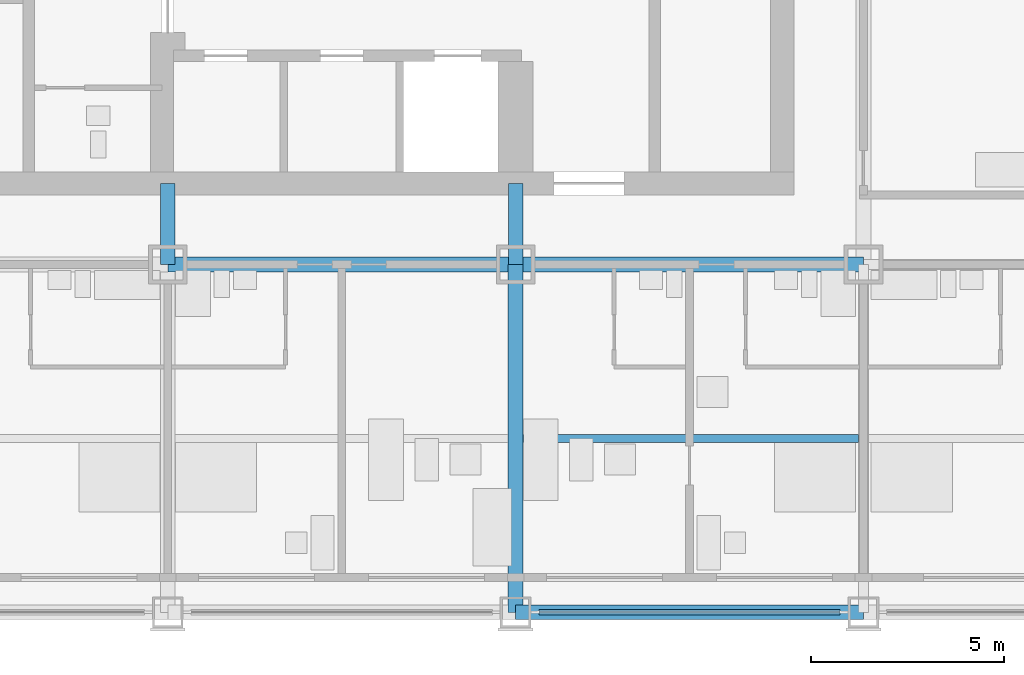
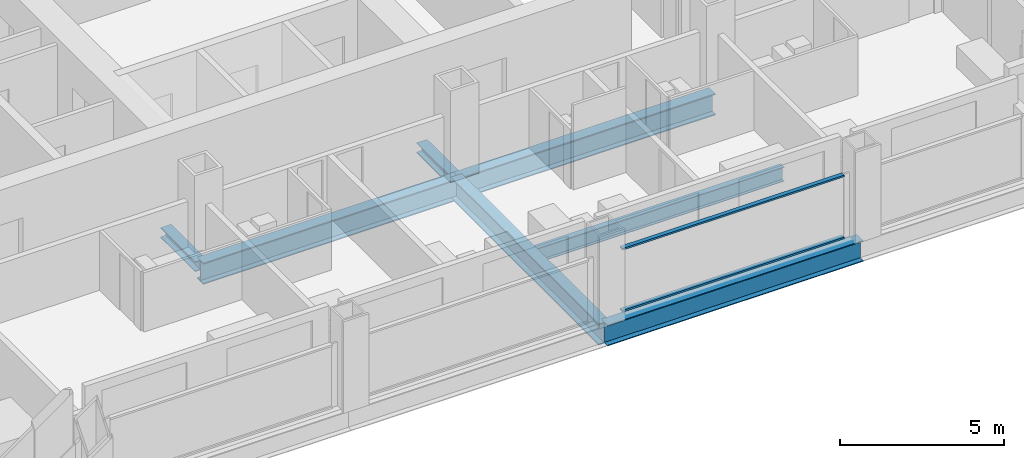
# One storey, part 3 of 17: 5 beams, 4 members, 1 element without a shape of its own.
"""IFC4 building model written with IfcOpenShell, lengths in metres."""

from ifc_helpers import new_model, si_unit, direction, frame, origin, origin_2d, place, context, subcontext, project, spatial, rectangle, i_section, extrude, material, material_profile, profile_set, type_object, element, aggregate, save


model = new_model("IFC4")

# Units and contexts
model_context = context("Model", 3, precision=1e-05, world=origin(), true_north=direction((0.0, 1.0)))
body_context = subcontext(model_context, "Body", "Model", "MODEL_VIEW")
ifc_project = project(units=[si_unit("LENGTHUNIT", "METRE"), si_unit("AREAUNIT", "SQUARE_METRE"), si_unit("VOLUMEUNIT", "CUBIC_METRE"), si_unit("PLANEANGLEUNIT", "RADIAN"), si_unit("MASSUNIT", "GRAM", prefix="KILO")], contexts=[model_context])

# Site, building, storey
site_placement = place(None, origin())
site = spatial("IfcSite", under=ifc_project, at=site_placement, CompositionType="ELEMENT")
building_placement = place(site_placement, origin())
building = spatial("IfcBuilding", under=site, at=building_placement, Name="Loomwork Tower", CompositionType="ELEMENT")
storey_placement = place(building_placement, frame((0.0, 0.0, 152.0)))
storey = spatial("IfcBuildingStorey", under=building, at=storey_placement, Name="L41", CompositionType="ELEMENT", Elevation=152.0)

# Beams
ifc_material_1 = material(Name="Steel ASTM A992", Category="steel")
ifc_material_profile_1 = material_profile(ifc_material_1, i_section(OverallWidth=0.383544921875, OverallDepth=0.794921875, WebThickness=0.02099609375, FlangeThickness=0.0380859375, at=origin_2d()), Name="W30x235")
ifc_profile_set_1 = profile_set([ifc_material_profile_1], Name="Steel ASTM A992")
beam_type_1 = type_object("IfcBeamType", Name="CORE FLANK GIRDER W30x235", PredefinedType="BEAM", material=ifc_profile_set_1)
for number, where, z_axis, x_axis, name in (
    (1, (18.0, 9.0, -0.597412109375), (1.0, 0.0, 0.0), (0.0, 1.0, 0.0), "Core Flank Girder E/4-E/5 L41"),
    (2, (27.0, 9.0, -0.597412109375), (1.0, 0.0, 0.0), (0.0, 1.0, 0.0), "Core Flank Girder E/5-E/6 L41"),
    (3, (27.0, 0.0, -0.597412109375), (0.0, 1.0, 0.0), (-1.0, 0.0, 0.0), "Core Flank Girder D/5-E/5 L41"),
):
    element("IfcBeam", number, at=place(storey_placement, frame(where, z_axis=z_axis, x_axis=x_axis)), inside=storey, type_object=beam_type_1, Name=name, PredefinedType="BEAM", context=body_context, shape_type="SweptSolid", body=[
        extrude(i_section(OverallWidth=0.383544921875, OverallDepth=0.794921875, WebThickness=0.02099609375, FlangeThickness=0.0380859375, at=origin_2d()), origin(), (0.0, 0.0, 1.0), 9.0),
    ])

# Members
ifc_material_2 = material(Name="Steel ASTM A992", Category="steel")
ifc_material_profile_2 = material_profile(ifc_material_2, i_section(OverallWidth=0.373291015625, OverallDepth=0.373291015625, WebThickness=0.016357421875, FlangeThickness=0.026123046875, at=origin_2d()), Name="W14x132")
ifc_profile_set_2 = profile_set([ifc_material_profile_2], Name="Steel ASTM A992")
member_type_1 = type_object("IfcMemberType", Name="CORE LINK STRUT W14x132", PredefinedType="STRUT", material=ifc_profile_set_2)
for number, where, z_axis, x_axis, name in (
    (4, (27.0, 9.0, -0.38671875), (0.0, 1.0, 0.0), (-1.0, 0.0, 0.0), "Core link strut E/5-27.000,11.100 L41"),
    (5, (18.0, 9.0, -0.38671875), (0.0, 1.0, 0.0), (-1.0, 0.0, 0.0), "Core link strut E/4-18.000,11.100 L41"),
):
    element("IfcMember", number, at=place(storey_placement, frame(where, z_axis=z_axis, x_axis=x_axis)), inside=storey, type_object=member_type_1, Name=name, PredefinedType="STRUT", context=body_context, shape_type="SweptSolid", body=[
        extrude(i_section(OverallWidth=0.373291015625, OverallDepth=0.373291015625, WebThickness=0.016357421875, FlangeThickness=0.026123046875, at=origin_2d()), origin(), (0.0, 0.0, 1.0), 2.10009765625),
    ])

# Beam
ifc_material_3 = material(Name="Steel ASTM A992", Category="steel")
ifc_material_profile_3 = material_profile(ifc_material_3, i_section(OverallWidth=0.2109375, OverallDepth=0.53857421875, WebThickness=0.011474609375, FlangeThickness=0.018798828125, at=origin_2d()), Name="W21x73")
ifc_profile_set_3 = profile_set([ifc_material_profile_3], Name="Steel ASTM A992")
beam_type_2 = type_object("IfcBeamType", Name="FLOOR JOIST W21x73", PredefinedType="JOIST", material=ifc_profile_set_3)
beam_1_placement = place(storey_placement, frame((27.19091796875, 4.5, -0.46923828125), z_axis=(1.0, 0.0, 0.0), x_axis=(0.0, 1.0, 0.0)))
element("IfcBeam", 6, at=beam_1_placement, inside=storey, type_object=beam_type_2, Name="Floor Joist 27.000,4.500-36.000,4.500 L41", PredefinedType="JOIST", context=body_context, shape_type="SweptSolid", body=[
    extrude(i_section(OverallWidth=0.2109375, OverallDepth=0.53857421875, WebThickness=0.011474609375, FlangeThickness=0.018798828125, at=origin_2d()), origin(), (0.0, 0.0, 1.0), 8.676025390625),
])

# Curtain wall, members
ifc_material_4 = material(Name="Aluminium curtain wall frame", Category="aluminium")
curtain_wall_type = type_object("IfcCurtainWallType", Name="Outer skin glazing hotel", PredefinedType="NOTDEFINED", material=ifc_material_4)
curtain_wall_placement = place(storey_placement, origin())
curtain_wall = element("IfcCurtainWall", 7, at=curtain_wall_placement, inside=storey, type_object=curtain_wall_type, Name="Outer skin glazing hotel cw/S-27", PredefinedType="NOTDEFINED")
ifc_material_5 = material(Name="Aluminium curtain wall frame", Category="aluminium")
ifc_material_profile_4 = material_profile(ifc_material_5, rectangle(XDim=0.14990234375, YDim=0.06494140625, at=origin_2d()), Name="AL 65x150")
ifc_profile_set_4 = profile_set([ifc_material_profile_4], Name="Aluminium curtain wall frame")
member_type_2 = type_object("IfcMemberType", Name="Outer skin glazing hotel transom", PredefinedType="USERDEFINED", material=ifc_profile_set_4)
member_1_placement = place(storey_placement, frame((27.60009765625, 0.0, 0.032470703125), z_axis=(1.0, 0.0, 0.0), x_axis=(0.0, 1.0, 0.0)))
member_1 = element("IfcMember", 8, at=member_1_placement, type_object=member_type_2, Name="CW1 transom 1.1", ObjectType="TRANSOM", PredefinedType="USERDEFINED", context=body_context, shape_type="SweptSolid", body=[
    extrude(rectangle(XDim=0.14990234375, YDim=0.06494140625, at=origin_2d()), origin(), (0.0, 0.0, 1.0), 7.7998046875),
])
member_2_placement = place(storey_placement, frame((27.60009765625, 0.0, 2.337646484375), z_axis=(1.0, 0.0, 0.0), x_axis=(0.0, 1.0, 0.0)))
member_2 = element("IfcMember", 9, at=member_2_placement, type_object=member_type_2, Name="CW1 transom 1.2", ObjectType="TRANSOM", PredefinedType="USERDEFINED", context=body_context, shape_type="SweptSolid", body=[
    extrude(rectangle(XDim=0.14990234375, YDim=0.06494140625, at=origin_2d()), origin(), (0.0, 0.0, 1.0), 7.7998046875),
])
aggregate(curtain_wall, [member_1, member_2])

# Beam
ifc_material_6 = material(Name="Steel ASTM A992", Category="steel")
ifc_material_profile_5 = material_profile(ifc_material_6, i_section(OverallWidth=0.381103515625, OverallDepth=0.77978515625, WebThickness=0.01806640625, FlangeThickness=0.0302734375, at=origin_2d()), Name="W30x191")
ifc_profile_set_5 = profile_set([ifc_material_profile_5], Name="Steel ASTM A992")
beam_type_3 = type_object("IfcBeamType", Name="SPANDREL GIRDER W30x191", PredefinedType="SPANDREL", material=ifc_profile_set_5)
beam_2_placement = place(storey_placement, frame((27.0, 0.0, -0.58984375), z_axis=(1.0, 0.0, 0.0), x_axis=(0.0, 1.0, 0.0)))
element("IfcBeam", 10, at=beam_2_placement, inside=storey, type_object=beam_type_3, Name="Spandrel Girder D/5-D/6 L41", PredefinedType="SPANDREL", context=body_context, shape_type="SweptSolid", body=[
    extrude(i_section(OverallWidth=0.381103515625, OverallDepth=0.77978515625, WebThickness=0.01806640625, FlangeThickness=0.0302734375, at=origin_2d()), origin(), (0.0, 0.0, 1.0), 9.0),
])

save(model, "model.ifc")
